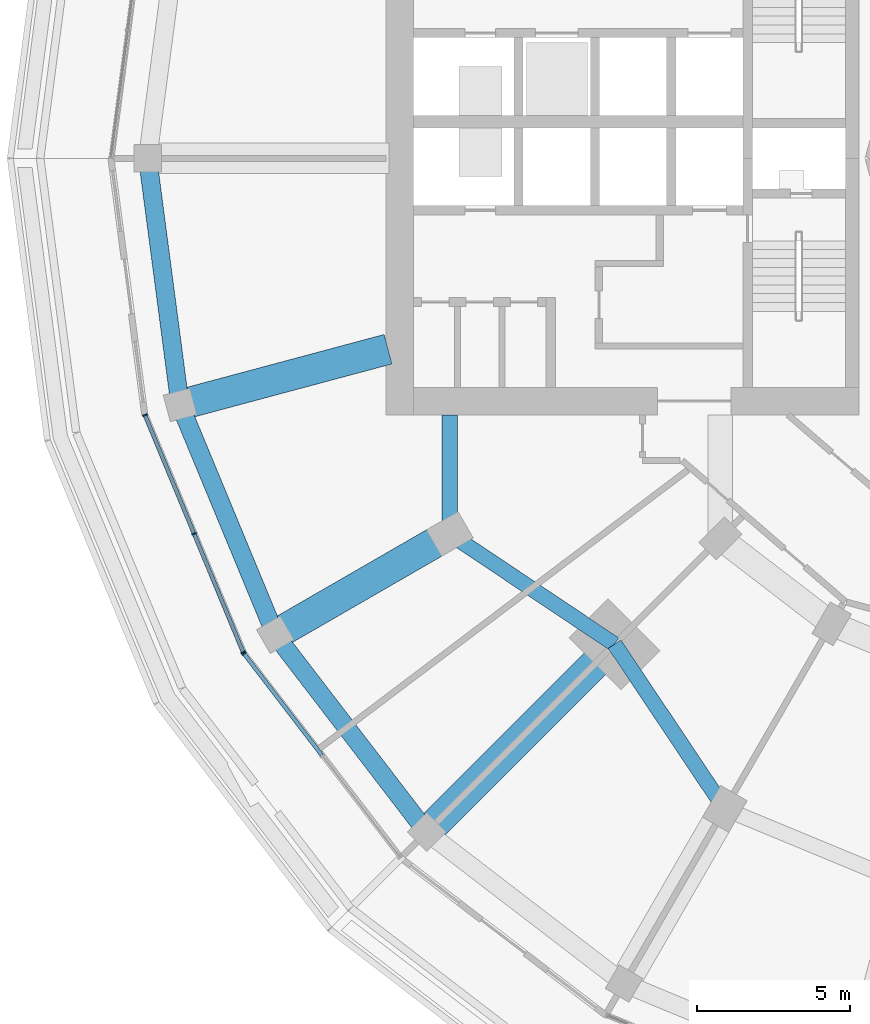
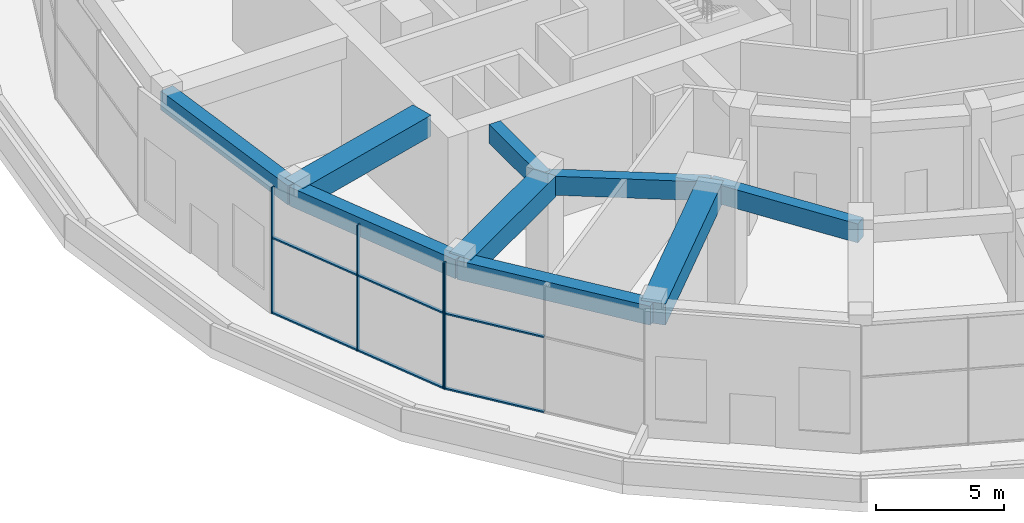
# One storey, part 3 of 23: 10 members, 9 beams, 2 elements without a shape of their own.
"""IFC4 building model written with IfcOpenShell, lengths in metres."""

import ifcopenshell
import ifcopenshell.guid

model = None  # the IFC model being written
_history = None  # IfcOwnerHistory: only IFC2X3 demands one
_inside = {}  # id of a spatial element -> (the spatial element, [elements in it])
_under = {}  # id of a project, library or spatial element -> (it, [spatial elements below it])
_declared = {}  # id of a project -> (the project, [libraries it declares])
_typed = {}  # id of a type object -> (the type object, [elements of that type])
_made_of = {}  # id of a material, layer set ... -> (it, [elements and type objects made of it])


def new_model(schema):
    """Start an empty IFC model of exactly this schema.

    Asked for "IFC4X3", IfcOpenShell would pick the latest addendum, in which some entities
    have other attributes; the version numbers below select the first issue.
    IFC2X3 requires an IfcOwnerHistory on every rooted entity: one is made here for all.
    """
    global model, _history
    if schema == "IFC4X3":
        model = ifcopenshell.file(schema_version=(4, 3, 0, 0))
    else:
        model = ifcopenshell.file(schema=schema)
    _inside.clear()
    _under.clear()
    _declared.clear()
    _typed.clear()
    _made_of.clear()
    _history = None
    if model.schema == "IFC2X3":
        org = make("IfcOrganization", Name="unknown")
        user = make(
            "IfcPersonAndOrganization",
            ThePerson=make("IfcPerson", FamilyName="unknown"),
            TheOrganization=org,
        )
        app = make(
            "IfcApplication",
            ApplicationDeveloper=org,
            Version="unknown",
            ApplicationFullName="unknown",
            ApplicationIdentifier="unknown",
        )
        _history = make(
            "IfcOwnerHistory",
            OwningUser=user,
            OwningApplication=app,
            ChangeAction="ADDED",
            CreationDate=0,
        )
    return model


def make(cls, **values):
    """One entity of the class cls with the attributes given. An attribute that is None is left unset."""
    return model.create_entity(
        cls, **{name: value for name, value in values.items() if value is not None}
    )


def rooted(cls, **values):
    """An entity with a GlobalId (a new one), such as an element, a storey or a relation."""
    return make(cls, GlobalId=ifcopenshell.guid.new(), OwnerHistory=_history, **values)


def si_unit(unit_type, name, prefix=None):
    """IfcSIUnit, for example si_unit("LENGTHUNIT", "METRE", prefix="MILLI")."""
    return make("IfcSIUnit", UnitType=unit_type, Prefix=prefix, Name=name)


def assignment(units):
    """IfcUnitAssignment: the units of a project."""
    return None if units is None else make("IfcUnitAssignment", Units=units)


def point(xyz):
    """IfcCartesianPoint."""
    return None if xyz is None else make("IfcCartesianPoint", Coordinates=xyz)


def direction(xyz):
    """IfcDirection."""
    return None if xyz is None else make("IfcDirection", DirectionRatios=xyz)


def frame(location, z_axis=None, x_axis=None):
    """IfcAxis2Placement3D, a coordinate frame: its origin and axes. An axis left out is left unset."""
    return make(
        "IfcAxis2Placement3D",
        Location=point(location),
        Axis=direction(z_axis),
        RefDirection=direction(x_axis),
    )


def frame_2d(location, x_axis=None):
    """IfcAxis2Placement2D, a coordinate frame in the plane: its origin and x axis."""
    return make(
        "IfcAxis2Placement2D", Location=point(location), RefDirection=direction(x_axis)
    )


def origin():
    """The frame at (0, 0, 0) with its axes left unset."""
    return frame((0.0, 0.0, 0.0))


def origin_2d():
    """The frame at (0, 0) in the plane with its x axis left unset."""
    return frame_2d((0.0, 0.0))


def place(relative_to, where):
    """IfcLocalPlacement: puts the frame where relative to a parent placement (None: the world)."""
    return make(
        "IfcLocalPlacement", PlacementRelTo=relative_to, RelativePlacement=where
    )


def context(
    kind, dimensions, precision=None, world=None, true_north=None, identifier=None
):
    """IfcGeometricRepresentationContext, for example the 3D "Model" context."""
    return make(
        "IfcGeometricRepresentationContext",
        ContextIdentifier=identifier,
        ContextType=kind,
        CoordinateSpaceDimension=dimensions,
        Precision=precision,
        WorldCoordinateSystem=world,
        TrueNorth=true_north,
    )


def subcontext(parent, identifier, kind, view, scale=None):
    """IfcGeometricRepresentationSubContext, for example "Body" below "Model"."""
    return make(
        "IfcGeometricRepresentationSubContext",
        ContextIdentifier=identifier,
        ContextType=kind,
        ParentContext=parent,
        TargetScale=scale,
        TargetView=view,
    )


def project(units=None, contexts=None):
    """IfcProject with its units and contexts."""
    return rooted(
        "IfcProject",
        Name="project",
        RepresentationContexts=contexts,
        UnitsInContext=assignment(units),
    )


def spatial(cls, under=None, at=None, **own):
    """A site, building, storey or space (cls), placed at a placement, below another one or the project."""
    s = rooted(cls, ObjectPlacement=at, **own)
    if under is not None:
        _under.setdefault(under.id(), (under, []))[1].append(s)
    return s


def profile(cls, at=None, kind="AREA", **sizes):
    """A parametric profile (cls). Its sizes go by their IFC names, for example OverallWidth=200.0."""
    return make(cls, ProfileType=kind, Position=at, **sizes)


def rectangle(**sizes):
    """IfcRectangleProfileDef."""
    return profile("IfcRectangleProfileDef", **sizes)


def extrude(swept, where, along, depth):
    """IfcExtrudedAreaSolid: the profile swept, set in the frame where, extruded along a direction by depth."""
    return make(
        "IfcExtrudedAreaSolid",
        SweptArea=swept,
        Position=where,
        ExtrudedDirection=direction(along),
        Depth=depth,
    )


def shape(context_of_items, identifier, shape_type, items):
    """IfcShapeRepresentation: the items that make up one representation, for example the "Body"."""
    return make(
        "IfcShapeRepresentation",
        ContextOfItems=context_of_items,
        RepresentationIdentifier=identifier,
        RepresentationType=shape_type,
        Items=items,
    )


def material(Name=None, Category=None):
    """IfcMaterial."""
    return make("IfcMaterial", Name=Name, Category=Category)


def layer(
    of_material, thickness, ventilated=None, Name=None, Category=None, Priority=None
):
    """IfcMaterialLayer: one layer of a wall or slab, of a material (None: an air gap)."""
    return make(
        "IfcMaterialLayer",
        Material=of_material,
        LayerThickness=thickness,
        IsVentilated=ventilated,
        Name=Name,
        Category=Category,
        Priority=Priority,
    )


def layer_set(layers, Name=None):
    """IfcMaterialLayerSet."""
    return make("IfcMaterialLayerSet", MaterialLayers=layers, LayerSetName=Name)


def material_profile(
    of_material, cross_section, Name=None, Category=None, Priority=None
):
    """IfcMaterialProfile: a cross section and its material."""
    return make(
        "IfcMaterialProfile",
        Name=Name,
        Material=of_material,
        Profile=cross_section,
        Priority=Priority,
        Category=Category,
    )


def profile_set(profiles, Name=None, composite=None):
    """IfcMaterialProfileSet."""
    return make(
        "IfcMaterialProfileSet",
        Name=Name,
        MaterialProfiles=profiles,
        CompositeProfile=composite,
    )


def made_of(thing, what):
    """Note that an element or type object is made of a material, layer set ...; save() writes the relation."""
    if what is not None:
        _made_of.setdefault(what.id(), (what, []))[1].append(thing)
    return thing


def type_object(cls, material=None, **own):
    """A type object (cls), such as IfcWallType, which elements share."""
    return made_of(rooted(cls, **own), material)


def element(
    cls,
    number,
    at=None,
    inside=None,
    cuts=None,
    type_object=None,
    material=None,
    context=None,
    identifier="Body",
    shape_type=None,
    held_by="IfcProductDefinitionShape",
    body=None,
    shapes=None,
    **own,
):
    """One element of the class cls, such as IfcWall. Its Tag is "e" and its number.

    at: its placement. inside: the storey or other place that contains it. cuts: it is an
    opening in that element (IfcRelVoidsElement). A single representation is given by context,
    identifier, shape_type and body (its items); several are given by shapes. held_by: the class
    of the entity that holds the representations. save() writes the other relations.
    """
    e = rooted(cls, Tag="e%d" % number, ObjectPlacement=at, **own)
    if body is not None:
        shapes = [shape(context, identifier, shape_type, body)]
    if shapes is not None:
        e.Representation = make(held_by, Representations=shapes)
    if inside is not None:
        _inside.setdefault(inside.id(), (inside, []))[1].append(e)
    if cuts is not None:
        rooted(
            "IfcRelVoidsElement", RelatingBuildingElement=cuts, RelatedOpeningElement=e
        )
    if type_object is not None:
        _typed.setdefault(type_object.id(), (type_object, []))[1].append(e)
    return made_of(e, material)


def aggregate(whole, parts):
    """IfcRelAggregates: a whole, such as a stair, and the parts it consists of."""
    return rooted("IfcRelAggregates", RelatingObject=whole, RelatedObjects=parts)


def save(model, path):
    """Write the relations noted so far, then the file.

    IfcRelAggregates (storeys below a building ...), IfcRelContainedInSpatialStructure (elements
    in a storey), IfcRelDefinesByType, IfcRelAssociatesMaterial and IfcRelDeclares: one each for
    every whole, place, type object, material and project.
    """
    for whole, parts in _under.values():
        aggregate(whole, parts)
    for where, things in _inside.values():
        rooted(
            "IfcRelContainedInSpatialStructure",
            RelatedElements=things,
            RelatingStructure=where,
        )
    for kind, things in _typed.values():
        rooted("IfcRelDefinesByType", RelatedObjects=things, RelatingType=kind)
    for what, things in _made_of.values():
        rooted("IfcRelAssociatesMaterial", RelatedObjects=things, RelatingMaterial=what)
    for by, libraries in _declared.values():
        rooted("IfcRelDeclares", RelatingContext=by, RelatedDefinitions=libraries)
    model.write(path)


model = new_model("IFC4")

# Units and contexts
model_context = context("Model", 3, precision=1e-05, world=origin(), true_north=direction((0.0, 1.0)))
body_context = subcontext(model_context, "Body", "Model", "MODEL_VIEW")
ifc_project = project(units=[si_unit("LENGTHUNIT", "METRE"), si_unit("AREAUNIT", "SQUARE_METRE"), si_unit("VOLUMEUNIT", "CUBIC_METRE"), si_unit("PLANEANGLEUNIT", "RADIAN"), si_unit("MASSUNIT", "GRAM", prefix="KILO")], contexts=[model_context])

# Site, building, storey
site_placement = place(None, origin())
site = spatial("IfcSite", under=ifc_project, at=site_placement, CompositionType="ELEMENT")
building_placement = place(site_placement, origin())
building = spatial("IfcBuilding", under=site, at=building_placement, Name="Torre Brocal", CompositionType="ELEMENT")
storey_placement = place(building_placement, frame((0.0, 0.0, 17.800048828125)))
storey = spatial("IfcBuildingStorey", under=building, at=storey_placement, Name="L03", CompositionType="ELEMENT", Elevation=17.800048828125)

# Curtain wall, members
ifc_material_1 = material(Name="Aluminium and glass", Category="aluminium")
ifc_layer = layer(ifc_material_1, 0.199951171875)
ifc_layer_set = layer_set([ifc_layer], Name="Aluminium and glass")
curtain_wall_type = type_object("IfcCurtainWallType", Name="CW-6 CURTAIN WALL 6000 HIGH", PredefinedType="NOTDEFINED", material=ifc_layer_set)
curtain_wall_1_placement = place(storey_placement, origin())
curtain_wall_1 = element("IfcCurtainWall", 1, at=curtain_wall_1_placement, inside=storey, type_object=curtain_wall_type, Name="CW-6 RUN 14", PredefinedType="NOTDEFINED")
ifc_material_2 = material(Name="Aluminium, dark anodised", Category="aluminium")
ifc_material_profile_1 = material_profile(ifc_material_2, rectangle(XDim=0.159912109375, YDim=0.050048828125, at=origin_2d()), Name="CW-6 MULLION 50X160")
ifc_profile_set_1 = profile_set([ifc_material_profile_1], Name="Aluminium, dark anodised")
member_type_1 = type_object("IfcMemberType", Name="CW-6 MULLION 50X160", PredefinedType="MULLION", material=ifc_profile_set_1)
member_1_placement = place(storey_placement, frame((48.71435546875, 66.59130859375, 0.0), z_axis=(0.0, 0.0, 1.0), x_axis=(0.923879532538, 0.382683432301, 0.0)))
member_1 = element("IfcMember", 2, at=member_1_placement, type_object=member_type_1, Name="CW6-2 mullion 1", PredefinedType="MULLION", context=body_context, shape_type="SweptSolid", body=[
    extrude(rectangle(XDim=0.159912109375, YDim=0.050048828125, at=origin_2d()), origin(), (0.0, 0.0, 1.0), 6.0),
])
member_2_placement = place(storey_placement, frame((50.3232421875, 62.70751953125, 0.0), z_axis=(0.0, 0.0, 1.0), x_axis=(0.923879532538, 0.382683432301, 0.0)))
member_2 = element("IfcMember", 3, at=member_2_placement, type_object=member_type_1, Name="CW6-2 mullion 2", PredefinedType="MULLION", context=body_context, shape_type="SweptSolid", body=[
    extrude(rectangle(XDim=0.159912109375, YDim=0.050048828125, at=origin_2d()), origin(), (0.0, 0.0, 1.0), 6.0),
])
member_3_placement = place(storey_placement, frame((51.931884765625, 58.823486328125, 0.0), z_axis=(0.0, 0.0, 1.0), x_axis=(0.923879532538, 0.382683432301, 0.0)))
member_3 = element("IfcMember", 4, at=member_3_placement, type_object=member_type_1, Name="CW6-2 mullion 3", PredefinedType="MULLION", context=body_context, shape_type="SweptSolid", body=[
    extrude(rectangle(XDim=0.159912109375, YDim=0.050048828125, at=origin_2d()), origin(), (0.0, 0.0, 1.0), 6.0),
])

# Curtain wall, member
curtain_wall_2_placement = place(storey_placement, origin())
curtain_wall_2 = element("IfcCurtainWall", 5, at=curtain_wall_2_placement, inside=storey, type_object=curtain_wall_type, Name="CW-6 RUN 15", PredefinedType="NOTDEFINED")
member_4_placement = place(storey_placement, frame((51.956787109375, 58.780517578125, 0.0), z_axis=(0.0, 0.0, 1.0), x_axis=(0.793353340291, 0.608761429009, 0.0)))
member_4 = element("IfcMember", 6, at=member_4_placement, type_object=member_type_1, Name="CW6-2 mullion 1", PredefinedType="MULLION", context=body_context, shape_type="SweptSolid", body=[
    extrude(rectangle(XDim=0.159912109375, YDim=0.050048828125, at=origin_2d()), origin(), (0.0, 0.0, 1.0), 6.0),
])

# Member
ifc_material_3 = material(Name="Aluminium, dark anodised", Category="aluminium")
ifc_material_profile_2 = material_profile(ifc_material_3, rectangle(XDim=0.1298828125, YDim=0.070068359375, at=origin_2d()), Name="CW-6 TRANSOM 130X70")
ifc_profile_set_2 = profile_set([ifc_material_profile_2], Name="Aluminium, dark anodised")
member_type_2 = type_object("IfcMemberType", Name="CW-6 TRANSOM 130X70", PredefinedType="USERDEFINED", material=ifc_profile_set_2)
member_5_placement = place(storey_placement, frame((48.723876953125, 66.568359375, 0.034912109375), z_axis=(0.38271166419, -0.923867838001, 0.0), x_axis=(0.923867838001, 0.38271166419, 0.0)))
member_5 = element("IfcMember", 7, at=member_5_placement, type_object=member_type_2, Name="CW6-2 transom 1.1", ObjectType="TRANSOM", PredefinedType="USERDEFINED", context=body_context, shape_type="SweptSolid", body=[
    extrude(rectangle(XDim=0.1298828125, YDim=0.070068359375, at=origin_2d()), origin(), (0.0, 0.0, 1.0), 4.154052734375),
])

member_6_placement = place(storey_placement, frame((48.723876953125, 66.568359375, 3.599853515625), z_axis=(0.38271166419, -0.923867838001, 0.0), x_axis=(0.923867838001, 0.38271166419, 0.0)))
member_6 = element("IfcMember", 8, at=member_6_placement, type_object=member_type_2, Name="CW6-2 transom 1.2", ObjectType="TRANSOM", PredefinedType="USERDEFINED", context=body_context, shape_type="SweptSolid", body=[
    extrude(rectangle(XDim=0.1298828125, YDim=0.070068359375, at=origin_2d()), origin(), (0.0, 0.0, 1.0), 4.154052734375),
])

member_7_placement = place(storey_placement, frame((50.332763671875, 62.684326171875, 0.034912109375), z_axis=(0.38268227917, -0.923880010179, 0.0), x_axis=(0.923880010179, 0.38268227917, 0.0)))
member_7 = element("IfcMember", 9, at=member_7_placement, type_object=member_type_2, Name="CW6-2 transom 2.1", ObjectType="TRANSOM", PredefinedType="USERDEFINED", context=body_context, shape_type="SweptSolid", body=[
    extrude(rectangle(XDim=0.1298828125, YDim=0.070068359375, at=origin_2d()), origin(), (0.0, 0.0, 1.0), 4.15380859375),
])

member_8_placement = place(storey_placement, frame((50.332763671875, 62.684326171875, 3.599853515625), z_axis=(0.38268227917, -0.923880010179, 0.0), x_axis=(0.923880010179, 0.38268227917, 0.0)))
member_8 = element("IfcMember", 10, at=member_8_placement, type_object=member_type_2, Name="CW6-2 transom 2.2", ObjectType="TRANSOM", PredefinedType="USERDEFINED", context=body_context, shape_type="SweptSolid", body=[
    extrude(rectangle(XDim=0.1298828125, YDim=0.070068359375, at=origin_2d()), origin(), (0.0, 0.0, 1.0), 4.15380859375),
])

aggregate(curtain_wall_1, [member_1, member_2, member_3, member_5, member_6, member_7, member_8])

member_9_placement = place(storey_placement, frame((51.971923828125, 58.7607421875, 0.034912109375), z_axis=(0.608784376185, -0.793335731777, 0.0), x_axis=(0.793335731777, 0.608784376185, 0.0)))
member_9 = element("IfcMember", 11, at=member_9_placement, type_object=member_type_2, Name="CW6-2 transom 1.1", ObjectType="TRANSOM", PredefinedType="USERDEFINED", context=body_context, shape_type="SweptSolid", body=[
    extrude(rectangle(XDim=0.1298828125, YDim=0.070068359375, at=origin_2d()), origin(), (0.0, 0.0, 1.0), 4.15380859375),
])

member_10_placement = place(storey_placement, frame((51.971923828125, 58.7607421875, 3.599853515625), z_axis=(0.608784376185, -0.793335731777, 0.0), x_axis=(0.793335731777, 0.608784376185, 0.0)))
member_10 = element("IfcMember", 12, at=member_10_placement, type_object=member_type_2, Name="CW6-2 transom 1.2", ObjectType="TRANSOM", PredefinedType="USERDEFINED", context=body_context, shape_type="SweptSolid", body=[
    extrude(rectangle(XDim=0.1298828125, YDim=0.070068359375, at=origin_2d()), origin(), (0.0, 0.0, 1.0), 4.15380859375),
])

aggregate(curtain_wall_2, [member_4, member_9, member_10])

# Beams
ifc_material_4 = material(Name="Concrete C50", Category="concrete")
ifc_material_profile_3 = material_profile(ifc_material_4, rectangle(XDim=0.60009765625, YDim=0.89990234375, at=origin_2d()), Name="RC 600X900")
ifc_profile_set_3 = profile_set([ifc_material_profile_3], Name="Concrete C50")
beam_type_1 = type_object("IfcBeamType", Name="RC BEAM 600X900 C50 TOP 5550", PredefinedType="BEAM", material=ifc_profile_set_3)
beam_1_placement = place(storey_placement, frame((48.800048828125, 75.0, 5.099853515625), z_axis=(0.130510340201, -0.991446948203, 0.0), x_axis=(0.991446948203, 0.130510340201, 0.0)))
element("IfcBeam", 13, at=beam_1_placement, inside=storey, type_object=beam_type_1, Name="Beam BT-13", PredefinedType="BEAM", context=body_context, shape_type="SweptSolid", body=[
    extrude(rectangle(XDim=0.60009765625, YDim=0.89990234375, at=origin_2d()), origin(), (0.0, 0.0, 1.0), 8.144775390625),
])
beam_2_placement = place(storey_placement, frame((49.863037109375, 66.9248046875, 5.099853515625), z_axis=(0.382686235977, -0.923878371212, 0.0), x_axis=(0.923878371212, 0.382686235977, 0.0)))
element("IfcBeam", 14, at=beam_2_placement, inside=storey, type_object=beam_type_1, Name="Beam BT-13", PredefinedType="BEAM", context=body_context, shape_type="SweptSolid", body=[
    extrude(rectangle(XDim=0.60009765625, YDim=0.89990234375, at=origin_2d()), origin(), (0.0, 0.0, 1.0), 8.14501953125),
])
beam_3_placement = place(storey_placement, frame((52.97998046875, 59.39990234375, 5.099853515625), z_axis=(0.608764383689, -0.793351073076, 0.0), x_axis=(0.793351073076, 0.608764383689, 0.0)))
element("IfcBeam", 15, at=beam_3_placement, inside=storey, type_object=beam_type_1, Name="Beam BT-13", PredefinedType="BEAM", context=body_context, shape_type="SweptSolid", body=[
    extrude(rectangle(XDim=0.60009765625, YDim=0.89990234375, at=origin_2d()), origin(), (0.0, 0.0, 1.0), 8.144775390625),
])
ifc_material_5 = material(Name="Concrete C50", Category="concrete")
ifc_material_profile_4 = material_profile(ifc_material_5, rectangle(XDim=0.5, YDim=0.89990234375, at=origin_2d()), Name="RC 500X900")
ifc_profile_set_4 = profile_set([ifc_material_profile_4], Name="Concrete C50")
beam_type_2 = type_object("IfcBeamType", Name="RC SPANDREL BEAM 500X900 C50 TOP 5550", PredefinedType="SPANDREL", material=ifc_profile_set_4)
beam_4_placement = place(storey_placement, frame((58.69580078125, 62.699951171875, 5.099853515625), z_axis=(0.0, 1.0, 0.0), x_axis=(-1.0, 0.0, 0.0)))
element("IfcBeam", 16, at=beam_4_placement, inside=storey, type_object=beam_type_2, Name="Beam BT-15", PredefinedType="SPANDREL", context=body_context, shape_type="SweptSolid", body=[
    extrude(rectangle(XDim=0.5, YDim=0.89990234375, at=origin_2d()), origin(), (0.0, 0.0, 1.0), 3.900146484375),
])
for number, where, z_axis, x_axis, name in (
    (17, (58.69580078125, 62.699951171875, 5.099853515625), (0.831076844476, -0.556157602282, 0.0), (0.556157602282, 0.831076844476, 0.0), "Beam BT-15"),
    (18, (64.090087890625, 59.090087890625, 5.099853515625), (0.556157602282, -0.831076844476, 0.0), (0.831076844476, 0.556157602282, 0.0), "Beam BT-15"),
):
    element("IfcBeam", number, at=place(storey_placement, frame(where, z_axis=z_axis, x_axis=x_axis)), inside=storey, type_object=beam_type_2, Name=name, PredefinedType="SPANDREL", context=body_context, shape_type="SweptSolid", body=[
        extrude(rectangle(XDim=0.5, YDim=0.89990234375, at=origin_2d()), origin(), (0.0, 0.0, 1.0), 6.49072265625),
    ])
ifc_material_6 = material(Name="Concrete C60", Category="concrete")
ifc_material_profile_5 = material_profile(ifc_material_6, rectangle(XDim=1.0, YDim=1.0, at=origin_2d()), Name="RC 1000X1000")
ifc_profile_set_5 = profile_set([ifc_material_profile_5], Name="Concrete C60")
beam_type_3 = type_object("IfcBeamType", Name="RC TRANSFER GIRDER 1000X1000 C60 TOP 5550", PredefinedType="BEAM", material=ifc_profile_set_5)
beam_5_placement = place(storey_placement, frame((56.6728515625, 68.74951171875, 5.050048828125), z_axis=(-0.965925019625, -0.258822055594, 0.0), x_axis=(0.258822055594, -0.965925019625, 0.0)))
element("IfcBeam", 19, at=beam_5_placement, inside=storey, type_object=beam_type_3, Name="Beam TG-04", PredefinedType="BEAM", context=body_context, shape_type="SweptSolid", body=[
    extrude(rectangle(XDim=1.0, YDim=1.0, at=origin_2d()), origin(), (0.0, 0.0, 1.0), 7.050048828125),
])
beam_6_placement = place(storey_placement, frame((58.69580078125, 62.699951171875, 5.050048828125), z_axis=(-0.866024194504, -0.500002094529, 0.0), x_axis=(0.500002094529, -0.866024194504, 0.0)))
element("IfcBeam", 20, at=beam_6_placement, inside=storey, type_object=beam_type_3, Name="Beam TG-04", PredefinedType="BEAM", context=body_context, shape_type="SweptSolid", body=[
    extrude(rectangle(XDim=1.0, YDim=1.0, at=origin_2d()), origin(), (0.0, 0.0, 1.0), 6.60009765625),
])
beam_7_placement = place(storey_placement, frame((64.090087890625, 59.090087890625, 5.050048828125), z_axis=(-0.707106781187, -0.707106781187, 0.0), x_axis=(0.707106781187, -0.707106781187, 0.0)))
element("IfcBeam", 21, at=beam_7_placement, inside=storey, type_object=beam_type_3, Name="Beam TG-04", PredefinedType="BEAM", context=body_context, shape_type="SweptSolid", body=[
    extrude(rectangle(XDim=1.0, YDim=1.0, at=origin_2d()), origin(), (0.0, 0.0, 1.0), 8.699951171875),
])

save(model, "model.ifc")
